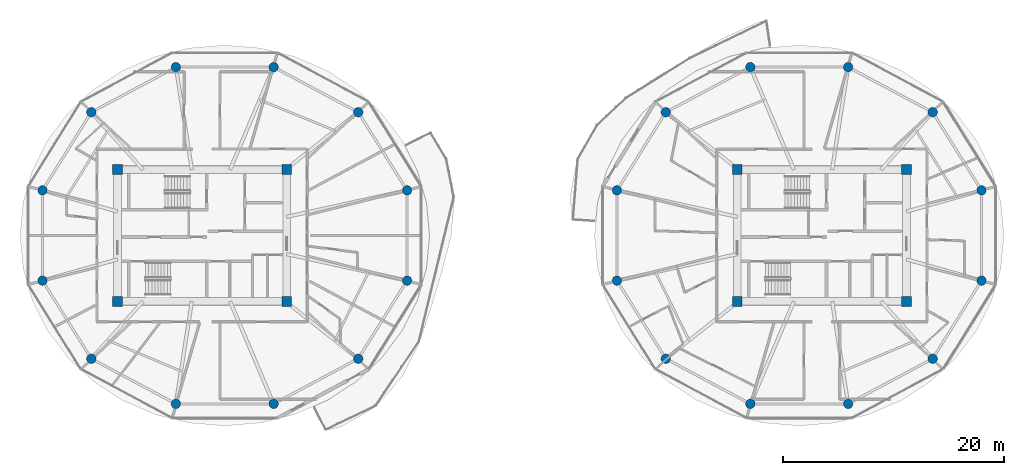
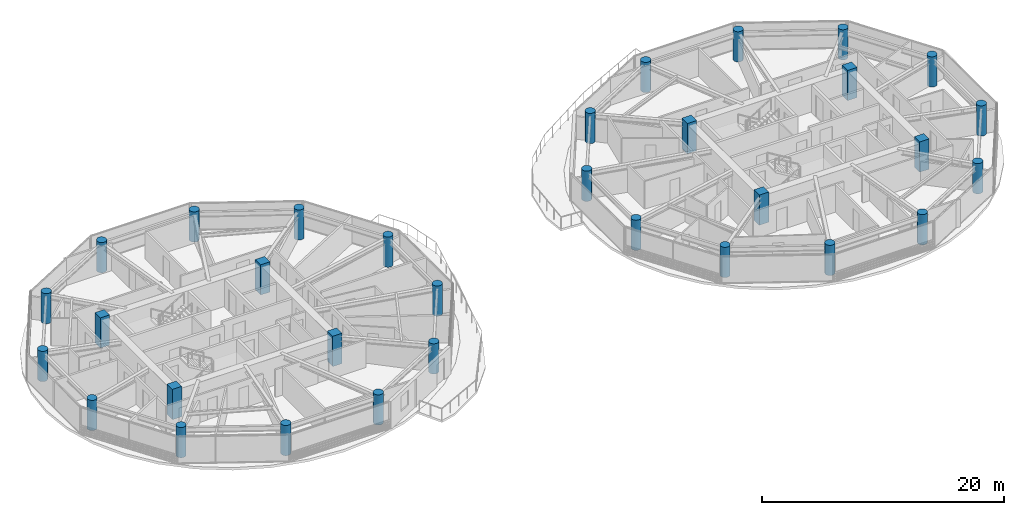
# One storey, part 1 of 22: 32 columns.
"""IFC4 building model written with IfcOpenShell, lengths in metres."""

from ifc_helpers import new_model, si_unit, direction, frame, origin, origin_2d, place, context, subcontext, project, spatial, rectangle, circle, extrude, source, transform, mapped, material, material_profile, profile_set, type_object, type_shapes, element, save


model = new_model("IFC4")

# Units and contexts
model_context = context("Model", 3, precision=1e-05, world=origin(), true_north=direction((0.0, 1.0)))
body_context = subcontext(model_context, "Body", "Model", "MODEL_VIEW")
ifc_project = project(units=[si_unit("LENGTHUNIT", "METRE"), si_unit("AREAUNIT", "SQUARE_METRE"), si_unit("VOLUMEUNIT", "CUBIC_METRE"), si_unit("PLANEANGLEUNIT", "RADIAN"), si_unit("MASSUNIT", "GRAM", prefix="KILO")], contexts=[model_context])

# Site, building, storey
site_placement = place(None, origin())
site = spatial("IfcSite", under=ifc_project, at=site_placement, CompositionType="ELEMENT")
building_placement = place(site_placement, origin())
building = spatial("IfcBuilding", under=site, at=building_placement, Name="Norrkilde Senior Care Towers", CompositionType="ELEMENT")
storey_placement = place(building_placement, frame((0.0, 0.0, 123.699951171875)))
storey = spatial("IfcBuildingStorey", under=building, at=storey_placement, Name="L38", CompositionType="ELEMENT", Elevation=123.699951171875)

# Columns
ifc_material = material(Name="Concrete C60/75", Category="concrete")
ifc_material_profile_1 = material_profile(ifc_material, rectangle(XDim=0.89990234375, YDim=0.89990234375, at=origin_2d()), Name="RC COL 900x900")
ifc_profile_set_1 = profile_set([ifc_material_profile_1], Name="Concrete C60/75")
column_type_1 = type_object("IfcColumnType", Name="Column Core Corner Z1-Z2 900", PredefinedType="COLUMN", material=ifc_profile_set_1)
shared_shape_1 = source(origin(), body_context, "Body", "SweptSolid", [
    extrude(rectangle(XDim=0.89990234375, YDim=0.89990234375, at=origin_2d()), origin(), (0.0, 0.0, 1.0), 3.050048828125),
])
type_shapes(column_type_1, [shared_shape_1])
for number, where, z_axis, x_axis, name in (
    (1, (-35.64990234375, -5.949951171875, 0.0), (0.0, 0.0, 1.0), (1.0, 0.0, 0.0), "L38 Core W Corner Column 1"),
    (2, (-20.35009765625, -5.949951171875, 0.0), (0.0, 0.0, 1.0), (1.0, 0.0, 0.0), "L38 Core W Corner Column 2"),
    (3, (-20.35009765625, 5.949951171875, 0.0), (0.0, 0.0, 1.0), (1.0, 0.0, 0.0), "L38 Core W Corner Column 3"),
    (4, (-35.64990234375, 5.949951171875, 0.0), (0.0, 0.0, 1.0), (1.0, 0.0, 0.0), "L38 Core W Corner Column 4"),
    (5, (20.35009765625, -5.949951171875, 0.0), (0.0, 0.0, 1.0), (1.0, 0.0, 0.0), "L38 Core E Corner Column 1"),
    (6, (35.64990234375, -5.949951171875, 0.0), (0.0, 0.0, 1.0), (1.0, 0.0, 0.0), "L38 Core E Corner Column 2"),
    (7, (35.64990234375, 5.949951171875, 0.0), (0.0, 0.0, 1.0), (1.0, 0.0, 0.0), "L38 Core E Corner Column 3"),
    (8, (20.35009765625, 5.949951171875, 0.0), (0.0, 0.0, 1.0), (1.0, 0.0, 0.0), "L38 Core E Corner Column 4"),
):
    element("IfcColumn", number, at=place(storey_placement, frame(where, z_axis=z_axis, x_axis=x_axis)), inside=storey, type_object=column_type_1, Name=name, PredefinedType="COLUMN", context=body_context, shape_type="MappedRepresentation", body=[
        mapped(shared_shape_1, transform((0.0, 0.0, 0.0), x_axis=(1.0, 0.0, 0.0), y_axis=(0.0, 1.0, 0.0), z_axis=(0.0, 0.0, 1.0), scale=1.0)),
    ])
ifc_material_profile_2 = material_profile(ifc_material, circle(Radius=0.425048828125, at=origin_2d()), Name="RC CIR 850")
ifc_profile_set_2 = profile_set([ifc_material_profile_2], Name="Concrete C60/75")
column_type_2 = type_object("IfcColumnType", Name="Column Perimeter Z2 850", PredefinedType="COLUMN", material=ifc_profile_set_2)
shared_shape_2 = source(origin(), body_context, "Body", "SweptSolid", [
    extrude(circle(Radius=0.425048828125, at=origin_2d()), origin(), (0.0, 0.0, 1.0), 3.050048828125),
])
type_shapes(column_type_2, [shared_shape_2])
for number, where, z_axis, x_axis, name in (
    (9, (-9.48095703125, 4.076416015625, 0.0), (0.0, 0.0, 1.0), (1.0, 0.0, 0.0), "L38 Drum W Perimeter Column 01"),
    (10, (-13.893798828125, 11.136962890625, 0.0), (0.0, 0.0, 1.0), (1.0, 0.0, 0.0), "L38 Drum W Perimeter Column 02"),
    (11, (-21.537109375, 15.21337890625, 0.0), (0.0, 0.0, 1.0), (1.0, 0.0, 0.0), "L38 Drum W Perimeter Column 03"),
    (12, (-30.36279296875, 15.21337890625, 0.0), (0.0, 0.0, 1.0), (1.0, 0.0, 0.0), "L38 Drum W Perimeter Column 04"),
    (13, (-38.006103515625, 11.136962890625, 0.0), (0.0, 0.0, 1.0), (1.0, 0.0, 0.0), "L38 Drum W Perimeter Column 05"),
    (14, (-42.4189453125, 4.076416015625, 0.0), (0.0, 0.0, 1.0), (1.0, 0.0, 0.0), "L38 Drum W Perimeter Column 06"),
    (15, (-42.4189453125, -4.076416015625, 0.0), (0.0, 0.0, 1.0), (1.0, 0.0, 0.0), "L38 Drum W Perimeter Column 07"),
    (16, (-38.006103515625, -11.136962890625, 0.0), (0.0, 0.0, 1.0), (1.0, 0.0, 0.0), "L38 Drum W Perimeter Column 08"),
    (17, (-30.36279296875, -15.21337890625, 0.0), (0.0, 0.0, 1.0), (1.0, 0.0, 0.0), "L38 Drum W Perimeter Column 09"),
    (18, (-21.537109375, -15.21337890625, 0.0), (0.0, 0.0, 1.0), (1.0, 0.0, 0.0), "L38 Drum W Perimeter Column 10"),
    (19, (-13.893798828125, -11.136962890625, 0.0), (0.0, 0.0, 1.0), (1.0, 0.0, 0.0), "L38 Drum W Perimeter Column 11"),
    (20, (-9.48095703125, -4.076416015625, 0.0), (0.0, 0.0, 1.0), (1.0, 0.0, 0.0), "L38 Drum W Perimeter Column 12"),
    (21, (42.4189453125, 4.076416015625, 0.0), (0.0, 0.0, 1.0), (1.0, 0.0, 0.0), "L38 Drum E Perimeter Column 01"),
    (22, (38.006103515625, 11.136962890625, 0.0), (0.0, 0.0, 1.0), (1.0, 0.0, 0.0), "L38 Drum E Perimeter Column 02"),
    (23, (30.36279296875, 15.21337890625, 0.0), (0.0, 0.0, 1.0), (1.0, 0.0, 0.0), "L38 Drum E Perimeter Column 03"),
    (24, (21.537109375, 15.21337890625, 0.0), (0.0, 0.0, 1.0), (1.0, 0.0, 0.0), "L38 Drum E Perimeter Column 04"),
    (25, (13.893798828125, 11.136962890625, 0.0), (0.0, 0.0, 1.0), (1.0, 0.0, 0.0), "L38 Drum E Perimeter Column 05"),
    (26, (9.48095703125, 4.076416015625, 0.0), (0.0, 0.0, 1.0), (1.0, 0.0, 0.0), "L38 Drum E Perimeter Column 06"),
    (27, (9.48095703125, -4.076416015625, 0.0), (0.0, 0.0, 1.0), (1.0, 0.0, 0.0), "L38 Drum E Perimeter Column 07"),
    (28, (13.893798828125, -11.136962890625, 0.0), (0.0, 0.0, 1.0), (1.0, 0.0, 0.0), "L38 Drum E Perimeter Column 08"),
    (29, (21.537109375, -15.21337890625, 0.0), (0.0, 0.0, 1.0), (1.0, 0.0, 0.0), "L38 Drum E Perimeter Column 09"),
    (30, (30.36279296875, -15.21337890625, 0.0), (0.0, 0.0, 1.0), (1.0, 0.0, 0.0), "L38 Drum E Perimeter Column 10"),
    (31, (38.006103515625, -11.136962890625, 0.0), (0.0, 0.0, 1.0), (1.0, 0.0, 0.0), "L38 Drum E Perimeter Column 11"),
    (32, (42.4189453125, -4.076416015625, 0.0), (0.0, 0.0, 1.0), (1.0, 0.0, 0.0), "L38 Drum E Perimeter Column 12"),
):
    element("IfcColumn", number, at=place(storey_placement, frame(where, z_axis=z_axis, x_axis=x_axis)), inside=storey, type_object=column_type_2, Name=name, PredefinedType="COLUMN", context=body_context, shape_type="MappedRepresentation", body=[
        mapped(shared_shape_2, transform((0.0, 0.0, 0.0), x_axis=(1.0, 0.0, 0.0), y_axis=(0.0, 1.0, 0.0), z_axis=(0.0, 0.0, 1.0), scale=1.0)),
    ])

save(model, "model.ifc")
